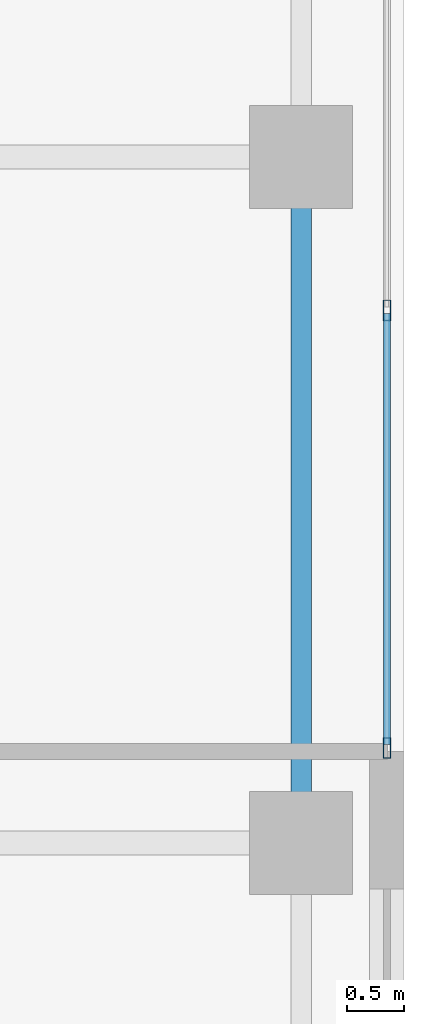
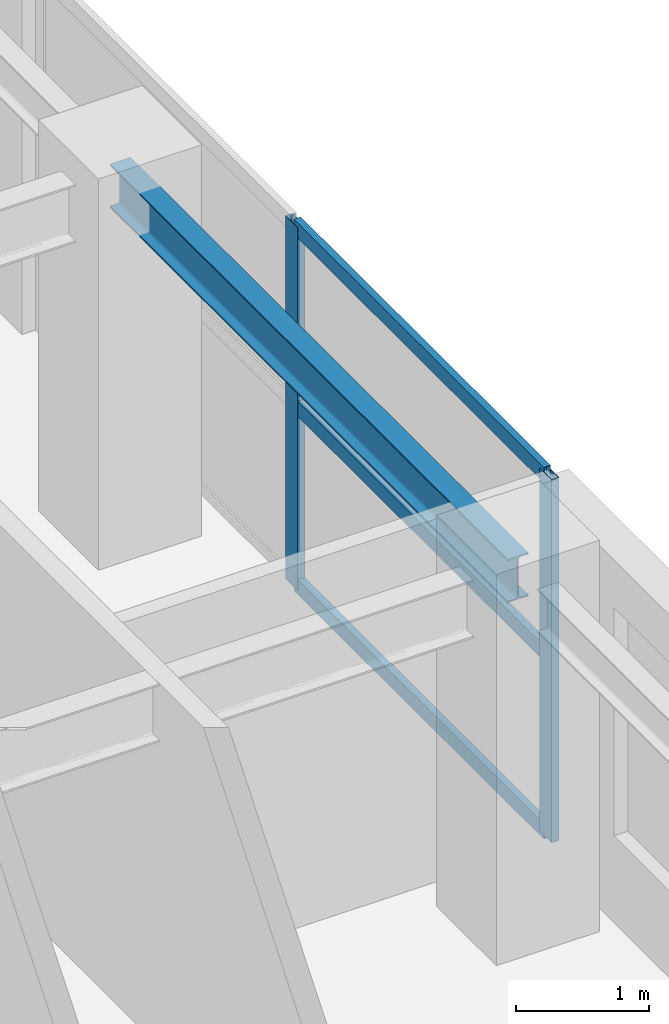
# One storey, part 10 of 22: 5 members, 1 beam, 1 element without a shape of its own.
"""IFC4 building model written with IfcOpenShell, lengths in metres."""

from ifc_helpers import new_model, si_unit, direction, frame, origin, origin_2d, place, context, subcontext, project, spatial, hollow_rectangle, i_section, extrude, source, transform, mapped, material, layer, layer_set, material_profile, profile_set, type_object, element, aggregate, save


model = new_model("IFC4")

# Units and contexts
model_context = context("Model", 3, precision=1e-05, world=origin(), true_north=direction((0.0, 1.0)))
body_context = subcontext(model_context, "Body", "Model", "MODEL_VIEW")
ifc_project = project(units=[si_unit("LENGTHUNIT", "METRE"), si_unit("AREAUNIT", "SQUARE_METRE"), si_unit("VOLUMEUNIT", "CUBIC_METRE"), si_unit("PLANEANGLEUNIT", "RADIAN"), si_unit("MASSUNIT", "GRAM", prefix="KILO")], contexts=[model_context])

# Site, building, storey
site_placement = place(None, origin())
site = spatial("IfcSite", under=ifc_project, at=site_placement, CompositionType="ELEMENT")
building_placement = place(site_placement, origin())
building = spatial("IfcBuilding", under=site, at=building_placement, Name="Khoralis Quay Care Tower", CompositionType="ELEMENT")
storey_placement = place(building_placement, frame((0.0, 0.0, 184.5)))
storey = spatial("IfcBuildingStorey", under=building, at=storey_placement, Name="L48", CompositionType="ELEMENT", Elevation=184.5)

# Beam
ifc_material_1 = material(Name="Steel S355", Category="steel")
ifc_material_profile_1 = material_profile(ifc_material_1, i_section(OverallWidth=0.179931640625, OverallDepth=0.39990234375, WebThickness=0.008544921875, FlangeThickness=0.013427734375, FilletRadius=0.02099609375, at=origin_2d()), Name="Steel S355")
ifc_profile_set_1 = profile_set([ifc_material_profile_1], Name="Steel S355")
beam_type = type_object("IfcBeamType", Name="BM-IPE400", PredefinedType="SPANDREL", material=ifc_profile_set_1)
shared_shape_1 = source(origin(), body_context, "Body", "SweptSolid", [
    extrude(i_section(OverallWidth=0.179931640625, OverallDepth=0.39990234375, WebThickness=0.008544921875, FlangeThickness=0.013427734375, FilletRadius=0.02099609375, at=origin_2d()), origin(), (0.0, 0.0, 1.0), 6.0),
])
beam_placement = place(storey_placement, frame((44.10009765625, 18.0, 3.139892578125), z_axis=(0.0, 1.0, 0.0), x_axis=(-1.0, 0.0, 0.0)))
element("IfcBeam", 1, at=beam_placement, inside=storey, type_object=beam_type, Name="BM-TSP-L48-12", PredefinedType="SPANDREL", context=body_context, shape_type="MappedRepresentation", body=[
    mapped(shared_shape_1, transform((0.0, 0.0, 0.0), scale=1.0)),
])

# Curtain wall, members
ifc_material_2 = material(Name="Pale anodised aluminium", Category="aluminium")
ifc_layer = layer(ifc_material_2, 0.159912109375)
ifc_layer_set = layer_set([ifc_layer], Name="Pale anodised aluminium")
curtain_wall_type = type_object("IfcCurtainWallType", Name="CW-SYS-Z3", PredefinedType="NOTDEFINED", material=ifc_layer_set)
curtain_wall_placement = place(storey_placement, origin())
curtain_wall = element("IfcCurtainWall", 2, at=curtain_wall_placement, inside=storey, type_object=curtain_wall_type, Name="L48 Unitised Curtain Wall CW-L48-P2-E5", PredefinedType="NOTDEFINED")
ifc_material_profile_2 = material_profile(ifc_material_2, hollow_rectangle(XDim=0.06494140625, YDim=0.179931640625, WallThickness=0.00390625, at=origin_2d()), Name="Pale anodised aluminium")
ifc_profile_set_2 = profile_set([ifc_material_profile_2], Name="Pale anodised aluminium")
member_type_1 = type_object("IfcMemberType", Name="CW-MUL-180", PredefinedType="MULLION", material=ifc_profile_set_2)
shared_shape_2 = source(origin(), body_context, "Body", "SweptSolid", [
    extrude(hollow_rectangle(XDim=0.06494140625, YDim=0.179931640625, WallThickness=0.00390625, at=origin_2d()), origin(), (0.0, 0.0, 1.0), 3.340087890625),
])
member_1_placement = place(storey_placement, frame((44.85009765625, 18.830078125, 0.0), z_axis=(0.0, 0.0, 1.0), x_axis=(-1.0, 0.0, 0.0)))
member_1 = element("IfcMember", 3, at=member_1_placement, type_object=member_type_1, Name="CW3 mullion 1", PredefinedType="MULLION", context=body_context, shape_type="MappedRepresentation", body=[
    mapped(shared_shape_2, transform((0.0, 0.0, 0.0), scale=1.0)),
])
member_2_placement = place(storey_placement, frame((44.85009765625, 22.659912109375, 0.0), z_axis=(0.0, 0.0, 1.0), x_axis=(-1.0, 0.0, 0.0)))
member_2 = element("IfcMember", 4, at=member_2_placement, type_object=member_type_1, Name="CW3 mullion 2", PredefinedType="MULLION", context=body_context, shape_type="MappedRepresentation", body=[
    mapped(shared_shape_2, transform((0.0, 0.0, 0.0), scale=1.0)),
])
ifc_material_profile_3 = material_profile(ifc_material_2, hollow_rectangle(XDim=0.06005859375, YDim=0.139892578125, WallThickness=0.00390625, at=origin_2d()), Name="Pale anodised aluminium")
ifc_profile_set_3 = profile_set([ifc_material_profile_3], Name="Pale anodised aluminium")
member_type_2 = type_object("IfcMemberType", Name="CW-TRN-140", PredefinedType="USERDEFINED", material=ifc_profile_set_3)
shared_shape_3 = source(origin(), body_context, "Body", "SweptSolid", [
    extrude(hollow_rectangle(XDim=0.06005859375, YDim=0.139892578125, WallThickness=0.00390625, at=origin_2d()), origin(), (0.0, 0.0, 1.0), 3.769775390625),
])
member_3_placement = place(storey_placement, frame((44.85009765625, 18.860107421875, 0.030029296875), z_axis=(0.0, 1.0, 0.0), x_axis=(-1.0, 0.0, 0.0)))
member_3 = element("IfcMember", 5, at=member_3_placement, type_object=member_type_2, Name="CW3 transom 1.1", ObjectType="TRANSOM", PredefinedType="USERDEFINED", context=body_context, shape_type="MappedRepresentation", body=[
    mapped(shared_shape_3, transform((0.0, 0.0, 0.0), scale=1.0)),
])
member_4_placement = place(storey_placement, frame((44.85009765625, 18.860107421875, 1.669921875), z_axis=(0.0, 1.0, 0.0), x_axis=(-1.0, 0.0, 0.0)))
member_4 = element("IfcMember", 6, at=member_4_placement, type_object=member_type_2, Name="CW3 transom 1.2", ObjectType="TRANSOM", PredefinedType="USERDEFINED", context=body_context, shape_type="MappedRepresentation", body=[
    mapped(shared_shape_3, transform((0.0, 0.0, 0.0), scale=1.0)),
])
member_5_placement = place(storey_placement, frame((44.85009765625, 18.860107421875, 3.31005859375), z_axis=(0.0, 1.0, 0.0), x_axis=(-1.0, 0.0, 0.0)))
member_5 = element("IfcMember", 7, at=member_5_placement, type_object=member_type_2, Name="CW3 transom 1.3", ObjectType="TRANSOM", PredefinedType="USERDEFINED", context=body_context, shape_type="MappedRepresentation", body=[
    mapped(shared_shape_3, transform((0.0, 0.0, 0.0), scale=1.0)),
])
aggregate(curtain_wall, [member_1, member_2, member_3, member_4, member_5])

save(model, "model.ifc")
